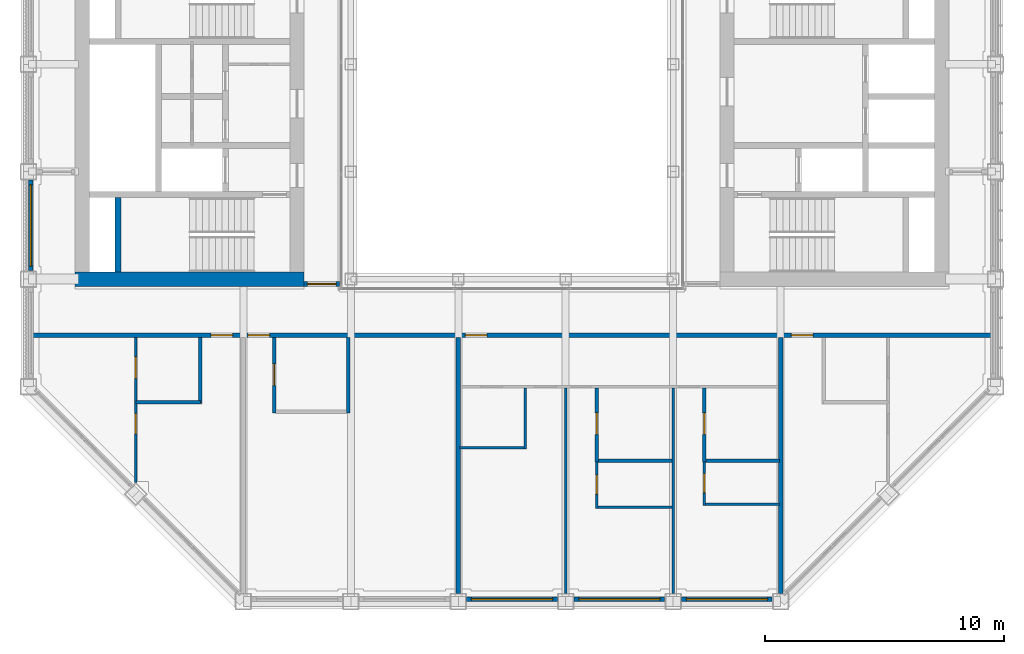
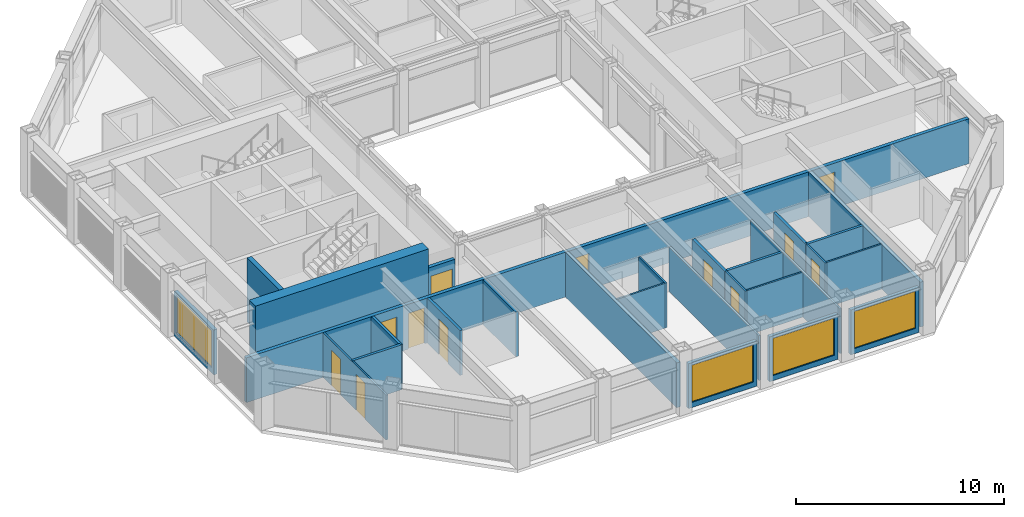
# One storey, part 9 of 17: 27 walls, 12 doors, 4 windows, 16 openings.
"""IFC4 building model written with IfcOpenShell, lengths in metres."""

import ifcopenshell
import ifcopenshell.guid

model = None  # the IFC model being written
_history = None  # IfcOwnerHistory: only IFC2X3 demands one
_inside = {}  # id of a spatial element -> (the spatial element, [elements in it])
_under = {}  # id of a project, library or spatial element -> (it, [spatial elements below it])
_declared = {}  # id of a project -> (the project, [libraries it declares])
_typed = {}  # id of a type object -> (the type object, [elements of that type])
_made_of = {}  # id of a material, layer set ... -> (it, [elements and type objects made of it])


def new_model(schema):
    """Start an empty IFC model of exactly this schema.

    Asked for "IFC4X3", IfcOpenShell would pick the latest addendum, in which some entities
    have other attributes; the version numbers below select the first issue.
    IFC2X3 requires an IfcOwnerHistory on every rooted entity: one is made here for all.
    """
    global model, _history
    if schema == "IFC4X3":
        model = ifcopenshell.file(schema_version=(4, 3, 0, 0))
    else:
        model = ifcopenshell.file(schema=schema)
    _inside.clear()
    _under.clear()
    _declared.clear()
    _typed.clear()
    _made_of.clear()
    _history = None
    if model.schema == "IFC2X3":
        org = make("IfcOrganization", Name="unknown")
        user = make(
            "IfcPersonAndOrganization",
            ThePerson=make("IfcPerson", FamilyName="unknown"),
            TheOrganization=org,
        )
        app = make(
            "IfcApplication",
            ApplicationDeveloper=org,
            Version="unknown",
            ApplicationFullName="unknown",
            ApplicationIdentifier="unknown",
        )
        _history = make(
            "IfcOwnerHistory",
            OwningUser=user,
            OwningApplication=app,
            ChangeAction="ADDED",
            CreationDate=0,
        )
    return model


def make(cls, **values):
    """One entity of the class cls with the attributes given. An attribute that is None is left unset."""
    return model.create_entity(
        cls, **{name: value for name, value in values.items() if value is not None}
    )


def rooted(cls, **values):
    """An entity with a GlobalId (a new one), such as an element, a storey or a relation."""
    return make(cls, GlobalId=ifcopenshell.guid.new(), OwnerHistory=_history, **values)


def si_unit(unit_type, name, prefix=None):
    """IfcSIUnit, for example si_unit("LENGTHUNIT", "METRE", prefix="MILLI")."""
    return make("IfcSIUnit", UnitType=unit_type, Prefix=prefix, Name=name)


def assignment(units):
    """IfcUnitAssignment: the units of a project."""
    return None if units is None else make("IfcUnitAssignment", Units=units)


def point(xyz):
    """IfcCartesianPoint."""
    return None if xyz is None else make("IfcCartesianPoint", Coordinates=xyz)


def direction(xyz):
    """IfcDirection."""
    return None if xyz is None else make("IfcDirection", DirectionRatios=xyz)


def frame(location, z_axis=None, x_axis=None):
    """IfcAxis2Placement3D, a coordinate frame: its origin and axes. An axis left out is left unset."""
    return make(
        "IfcAxis2Placement3D",
        Location=point(location),
        Axis=direction(z_axis),
        RefDirection=direction(x_axis),
    )


def frame_2d(location, x_axis=None):
    """IfcAxis2Placement2D, a coordinate frame in the plane: its origin and x axis."""
    return make(
        "IfcAxis2Placement2D", Location=point(location), RefDirection=direction(x_axis)
    )


def origin():
    """The frame at (0, 0, 0) with its axes left unset."""
    return frame((0.0, 0.0, 0.0))


def place(relative_to, where):
    """IfcLocalPlacement: puts the frame where relative to a parent placement (None: the world)."""
    return make(
        "IfcLocalPlacement", PlacementRelTo=relative_to, RelativePlacement=where
    )


def context(
    kind, dimensions, precision=None, world=None, true_north=None, identifier=None
):
    """IfcGeometricRepresentationContext, for example the 3D "Model" context."""
    return make(
        "IfcGeometricRepresentationContext",
        ContextIdentifier=identifier,
        ContextType=kind,
        CoordinateSpaceDimension=dimensions,
        Precision=precision,
        WorldCoordinateSystem=world,
        TrueNorth=true_north,
    )


def subcontext(parent, identifier, kind, view, scale=None):
    """IfcGeometricRepresentationSubContext, for example "Body" below "Model"."""
    return make(
        "IfcGeometricRepresentationSubContext",
        ContextIdentifier=identifier,
        ContextType=kind,
        ParentContext=parent,
        TargetScale=scale,
        TargetView=view,
    )


def project(units=None, contexts=None):
    """IfcProject with its units and contexts."""
    return rooted(
        "IfcProject",
        Name="project",
        RepresentationContexts=contexts,
        UnitsInContext=assignment(units),
    )


def spatial(cls, under=None, at=None, **own):
    """A site, building, storey or space (cls), placed at a placement, below another one or the project."""
    s = rooted(cls, ObjectPlacement=at, **own)
    if under is not None:
        _under.setdefault(under.id(), (under, []))[1].append(s)
    return s


def profile(cls, at=None, kind="AREA", **sizes):
    """A parametric profile (cls). Its sizes go by their IFC names, for example OverallWidth=200.0."""
    return make(cls, ProfileType=kind, Position=at, **sizes)


def rectangle(**sizes):
    """IfcRectangleProfileDef."""
    return profile("IfcRectangleProfileDef", **sizes)


def extrude(swept, where, along, depth):
    """IfcExtrudedAreaSolid: the profile swept, set in the frame where, extruded along a direction by depth."""
    return make(
        "IfcExtrudedAreaSolid",
        SweptArea=swept,
        Position=where,
        ExtrudedDirection=direction(along),
        Depth=depth,
    )


def shape(context_of_items, identifier, shape_type, items):
    """IfcShapeRepresentation: the items that make up one representation, for example the "Body"."""
    return make(
        "IfcShapeRepresentation",
        ContextOfItems=context_of_items,
        RepresentationIdentifier=identifier,
        RepresentationType=shape_type,
        Items=items,
    )


def material(Name=None, Category=None):
    """IfcMaterial."""
    return make("IfcMaterial", Name=Name, Category=Category)


def layer(
    of_material, thickness, ventilated=None, Name=None, Category=None, Priority=None
):
    """IfcMaterialLayer: one layer of a wall or slab, of a material (None: an air gap)."""
    return make(
        "IfcMaterialLayer",
        Material=of_material,
        LayerThickness=thickness,
        IsVentilated=ventilated,
        Name=Name,
        Category=Category,
        Priority=Priority,
    )


def layer_set(layers, Name=None):
    """IfcMaterialLayerSet."""
    return make("IfcMaterialLayerSet", MaterialLayers=layers, LayerSetName=Name)


def made_of(thing, what):
    """Note that an element or type object is made of a material, layer set ...; save() writes the relation."""
    if what is not None:
        _made_of.setdefault(what.id(), (what, []))[1].append(thing)
    return thing


def type_object(cls, material=None, **own):
    """A type object (cls), such as IfcWallType, which elements share."""
    return made_of(rooted(cls, **own), material)


def element(
    cls,
    number,
    at=None,
    inside=None,
    cuts=None,
    type_object=None,
    material=None,
    context=None,
    identifier="Body",
    shape_type=None,
    held_by="IfcProductDefinitionShape",
    body=None,
    shapes=None,
    **own,
):
    """One element of the class cls, such as IfcWall. Its Tag is "e" and its number.

    at: its placement. inside: the storey or other place that contains it. cuts: it is an
    opening in that element (IfcRelVoidsElement). A single representation is given by context,
    identifier, shape_type and body (its items); several are given by shapes. held_by: the class
    of the entity that holds the representations. save() writes the other relations.
    """
    e = rooted(cls, Tag="e%d" % number, ObjectPlacement=at, **own)
    if body is not None:
        shapes = [shape(context, identifier, shape_type, body)]
    if shapes is not None:
        e.Representation = make(held_by, Representations=shapes)
    if inside is not None:
        _inside.setdefault(inside.id(), (inside, []))[1].append(e)
    if cuts is not None:
        rooted(
            "IfcRelVoidsElement", RelatingBuildingElement=cuts, RelatedOpeningElement=e
        )
    if type_object is not None:
        _typed.setdefault(type_object.id(), (type_object, []))[1].append(e)
    return made_of(e, material)


def fill(opening, filler):
    """IfcRelFillsElement: the door or window that sits in an opening."""
    return rooted(
        "IfcRelFillsElement",
        RelatingOpeningElement=opening,
        RelatedBuildingElement=filler,
    )


def aggregate(whole, parts):
    """IfcRelAggregates: a whole, such as a stair, and the parts it consists of."""
    return rooted("IfcRelAggregates", RelatingObject=whole, RelatedObjects=parts)


def save(model, path):
    """Write the relations noted so far, then the file.

    IfcRelAggregates (storeys below a building ...), IfcRelContainedInSpatialStructure (elements
    in a storey), IfcRelDefinesByType, IfcRelAssociatesMaterial and IfcRelDeclares: one each for
    every whole, place, type object, material and project.
    """
    for whole, parts in _under.values():
        aggregate(whole, parts)
    for where, things in _inside.values():
        rooted(
            "IfcRelContainedInSpatialStructure",
            RelatedElements=things,
            RelatingStructure=where,
        )
    for kind, things in _typed.values():
        rooted("IfcRelDefinesByType", RelatedObjects=things, RelatingType=kind)
    for what, things in _made_of.values():
        rooted("IfcRelAssociatesMaterial", RelatedObjects=things, RelatingMaterial=what)
    for by, libraries in _declared.values():
        rooted("IfcRelDeclares", RelatingContext=by, RelatedDefinitions=libraries)
    model.write(path)


model = new_model("IFC4")

# Units and contexts
model_context = context("Model", 3, precision=1e-05, world=origin(), true_north=direction((0.0, 1.0)))
body_context = subcontext(model_context, "Body", "Model", "MODEL_VIEW")
ifc_project = project(units=[si_unit("LENGTHUNIT", "METRE"), si_unit("AREAUNIT", "SQUARE_METRE"), si_unit("VOLUMEUNIT", "CUBIC_METRE"), si_unit("PLANEANGLEUNIT", "RADIAN"), si_unit("MASSUNIT", "GRAM", prefix="KILO")], contexts=[model_context])

# Site, building, storey
site_placement = place(None, origin())
site = spatial("IfcSite", under=ifc_project, at=site_placement, CompositionType="ELEMENT")
building_placement = place(site_placement, origin())
building = spatial("IfcBuilding", under=site, at=building_placement, Name="Msasa Ring Tower", CompositionType="ELEMENT")
storey_placement = place(building_placement, frame((0.0, 0.0, 238.300048828125)))
storey = spatial("IfcBuildingStorey", under=building, at=storey_placement, Name="L62", CompositionType="ELEMENT", Elevation=238.300048828125)

# Walls
ifc_material_1 = material(Name="Concrete C60/75", Category="concrete")
ifc_layer_1 = layer(ifc_material_1, 0.60009765625)
ifc_layer_set_1 = layer_set([ifc_layer_1], Name="CW3 CORE WALL 600")
wall_type_1 = type_object("IfcWallType", Name="CW3 CORE WALL 600", PredefinedType="SHEAR", material=ifc_layer_set_1)
wall_1_placement = place(storey_placement, frame((-8.699951171875, -6.75, 0.0), z_axis=(0.0, 0.0, 1.0), x_axis=(-1.0, 0.0, 0.0)))
element("IfcWall", 1, at=wall_1_placement, inside=storey, type_object=wall_type_1, Name="W core wall S L62", PredefinedType="SHEAR", context=body_context, shape_type="SweptSolid", body=[
    extrude(rectangle(XDim=9.60009765625, YDim=0.60009765625, at=frame_2d((4.800048828125, 0.0))), origin(), (0.0, 0.0, 1.0), 3.75),
])
ifc_material_2 = material(Name="Concrete C60/75", Category="concrete")
ifc_layer_2 = layer(ifc_material_2, 0.25)
ifc_layer_set_2 = layer_set([ifc_layer_2], Name="CW4 CORE INNER WALL 250")
wall_type_2 = type_object("IfcWallType", Name="CW4 CORE INNER WALL 250", PredefinedType="SHEAR", material=ifc_layer_set_2)
wall_2_placement = place(storey_placement, frame((-16.5, -6.449951171875, 0.0), z_axis=(0.0, 0.0, 1.0), x_axis=(0.0, 1.0, 0.0)))
element("IfcWall", 2, at=wall_2_placement, inside=storey, type_object=wall_type_2, Name="W core wall RISERA L62", PredefinedType="SHEAR", context=body_context, shape_type="SweptSolid", body=[
    extrude(rectangle(XDim=3.125, YDim=0.25, at=frame_2d((1.5625, 0.0))), origin(), (0.0, 0.0, 1.0), 3.75),
])

# Wall, opening, window
ifc_material_3 = material(Name="Terracotta rainscreen on blockwork", Category="masonry")
ifc_layer_3 = layer(ifc_material_3, 0.199951171875)
ifc_layer_set_3 = layer_set([ifc_layer_3], Name="FW1 TERRACOTTA-LINED INFILL BAY WALL 200")
wall_type_3 = type_object("IfcWallType", Name="FW1 TERRACOTTA-LINED INFILL BAY WALL 200", PredefinedType="SOLIDWALL", material=ifc_layer_set_3)
wall_3_placement = place(storey_placement, frame((-1.89501953125, -20.14990234375, 0.0), z_axis=(0.0, 0.0, 1.0), x_axis=(1.0, 0.0, 0.0)))
wall_3 = element("IfcWall", 3, at=wall_3_placement, inside=storey, type_object=wall_type_3, Name="Infill bay wall S L62 02", PredefinedType="SOLIDWALL", context=body_context, shape_type="SweptSolid", body=[
    extrude(rectangle(XDim=3.7900390625, YDim=0.199951171875, at=frame_2d((1.89501953125, 0.0))), origin(), (0.0, 0.0, 1.0), 2.62890625),
])
opening_1_placement = place(wall_3_placement, frame((0.195068359375, 0.0, 0.300048828125)))
opening_1 = element("IfcOpeningElement", 4, at=opening_1_placement, cuts=wall_3, Name="Opening WN3", PredefinedType="OPENING", context=body_context, shape_type="SweptSolid", body=[
    extrude(rectangle(XDim=3.39990234375, YDim=2.178955078125, at=frame_2d((1.699951171875, 1.08935546875))), frame((0.0, 0.10986328125, 0.0), z_axis=(0.0, -1.0, 0.0), x_axis=(1.0, 0.0, 0.0)), (0.0, 0.0, 1.0), 0.219970703125),
])
ifc_material_4 = material(Name="Aluminium frame with clear glass", Category="aluminium")
window_type = type_object("IfcWindowType", Name="WN3 SUITE WINDOW 3400x2179", PartitioningType="SINGLE_PANEL", PredefinedType="WINDOW", material=ifc_material_4)
window_1_placement = place(opening_1_placement, origin())
window_1 = element("IfcWindow", 5, at=window_1_placement, inside=storey, type_object=window_type, Name="Window S L62 02", OverallHeight=2.178955078125, OverallWidth=3.39990234375, PartitioningType="SINGLE_PANEL", PredefinedType="WINDOW", context=body_context, shape_type="SweptSolid", body=[
    extrude(rectangle(XDim=3.39990234375, YDim=2.178955078125, at=frame_2d((1.699951171875, 1.08935546875))), frame((0.0, 0.030029296875, 0.0), z_axis=(0.0, -1.0, 0.0), x_axis=(1.0, 0.0, 0.0)), (0.0, 0.0, 1.0), 0.06005859375),
])
fill(opening_1, window_1)

wall_4_placement = place(storey_placement, frame((2.60498046875, -20.14990234375, 0.0), z_axis=(0.0, 0.0, 1.0), x_axis=(1.0, 0.0, 0.0)))
wall_4 = element("IfcWall", 6, at=wall_4_placement, inside=storey, type_object=wall_type_3, Name="Infill bay wall S L62 03", PredefinedType="SOLIDWALL", context=body_context, shape_type="SweptSolid", body=[
    extrude(rectangle(XDim=3.7900390625, YDim=0.199951171875, at=frame_2d((1.89501953125, 0.0))), origin(), (0.0, 0.0, 1.0), 2.62890625),
])
opening_2_placement = place(wall_4_placement, frame((0.195068359375, 0.0, 0.300048828125)))
opening_2 = element("IfcOpeningElement", 7, at=opening_2_placement, cuts=wall_4, Name="Opening WN3", PredefinedType="OPENING", context=body_context, shape_type="SweptSolid", body=[
    extrude(rectangle(XDim=3.39990234375, YDim=2.178955078125, at=frame_2d((1.699951171875, 1.08935546875))), frame((0.0, 0.10986328125, 0.0), z_axis=(0.0, -1.0, 0.0), x_axis=(1.0, 0.0, 0.0)), (0.0, 0.0, 1.0), 0.219970703125),
])
window_2_placement = place(opening_2_placement, origin())
window_2 = element("IfcWindow", 8, at=window_2_placement, inside=storey, type_object=window_type, Name="Window S L62 03", OverallHeight=2.178955078125, OverallWidth=3.39990234375, PartitioningType="SINGLE_PANEL", PredefinedType="WINDOW", context=body_context, shape_type="SweptSolid", body=[
    extrude(rectangle(XDim=3.39990234375, YDim=2.178955078125, at=frame_2d((1.699951171875, 1.08935546875))), frame((0.0, 0.030029296875, 0.0), z_axis=(0.0, -1.0, 0.0), x_axis=(1.0, 0.0, 0.0)), (0.0, 0.0, 1.0), 0.06005859375),
])
fill(opening_2, window_2)

wall_5_placement = place(storey_placement, frame((7.10498046875, -20.14990234375, 0.0), z_axis=(0.0, 0.0, 1.0), x_axis=(1.0, 0.0, 0.0)))
wall_5 = element("IfcWall", 9, at=wall_5_placement, inside=storey, type_object=wall_type_3, Name="Infill bay wall S L62 04", PredefinedType="SOLIDWALL", context=body_context, shape_type="SweptSolid", body=[
    extrude(rectangle(XDim=3.7900390625, YDim=0.199951171875, at=frame_2d((1.89501953125, 0.0))), origin(), (0.0, 0.0, 1.0), 2.62890625),
])
opening_3_placement = place(wall_5_placement, frame((0.195068359375, 0.0, 0.300048828125)))
opening_3 = element("IfcOpeningElement", 10, at=opening_3_placement, cuts=wall_5, Name="Opening WN3", PredefinedType="OPENING", context=body_context, shape_type="SweptSolid", body=[
    extrude(rectangle(XDim=3.39990234375, YDim=2.178955078125, at=frame_2d((1.699951171875, 1.08935546875))), frame((0.0, 0.10986328125, 0.0), z_axis=(0.0, -1.0, 0.0), x_axis=(1.0, 0.0, 0.0)), (0.0, 0.0, 1.0), 0.219970703125),
])
window_3_placement = place(opening_3_placement, origin())
window_3 = element("IfcWindow", 11, at=window_3_placement, inside=storey, type_object=window_type, Name="Window S L62 04", OverallHeight=2.178955078125, OverallWidth=3.39990234375, PartitioningType="SINGLE_PANEL", PredefinedType="WINDOW", context=body_context, shape_type="SweptSolid", body=[
    extrude(rectangle(XDim=3.39990234375, YDim=2.178955078125, at=frame_2d((1.699951171875, 1.08935546875))), frame((0.0, 0.030029296875, 0.0), z_axis=(0.0, -1.0, 0.0), x_axis=(1.0, 0.0, 0.0)), (0.0, 0.0, 1.0), 0.06005859375),
])
fill(opening_3, window_3)

wall_6_placement = place(storey_placement, frame((-20.14990234375, -6.39501953125, 0.0), z_axis=(0.0, 0.0, 1.0), x_axis=(0.0, 1.0, 0.0)))
wall_6 = element("IfcWall", 12, at=wall_6_placement, inside=storey, type_object=wall_type_3, Name="Infill bay wall W L62 22", PredefinedType="SOLIDWALL", context=body_context, shape_type="SweptSolid", body=[
    extrude(rectangle(XDim=3.7900390625, YDim=0.199951171875, at=frame_2d((1.89501953125, 0.0))), origin(), (0.0, 0.0, 1.0), 2.62890625),
])
opening_4_placement = place(wall_6_placement, frame((0.195068359375, 0.0, 0.300048828125)))
opening_4 = element("IfcOpeningElement", 13, at=opening_4_placement, cuts=wall_6, Name="Opening WN3", PredefinedType="OPENING", context=body_context, shape_type="SweptSolid", body=[
    extrude(rectangle(XDim=3.39990234375, YDim=2.178955078125, at=frame_2d((1.699951171875, 1.08935546875))), frame((0.0, 0.10986328125, 0.0), z_axis=(0.0, -1.0, 0.0), x_axis=(1.0, 0.0, 0.0)), (0.0, 0.0, 1.0), 0.219970703125),
])
window_4_placement = place(opening_4_placement, origin())
window_4 = element("IfcWindow", 14, at=window_4_placement, inside=storey, type_object=window_type, Name="Window W L62 22", OverallHeight=2.178955078125, OverallWidth=3.39990234375, PartitioningType="SINGLE_PANEL", PredefinedType="WINDOW", context=body_context, shape_type="SweptSolid", body=[
    extrude(rectangle(XDim=3.39990234375, YDim=2.178955078125, at=frame_2d((1.699951171875, 1.08935546875))), frame((0.0, 0.030029296875, 0.0), z_axis=(0.0, -1.0, 0.0), x_axis=(1.0, 0.0, 0.0)), (0.0, 0.0, 1.0), 0.06005859375),
])
fill(opening_4, window_4)

# Wall, opening, door
ifc_material_5 = material(Name="Concrete blockwork", Category="masonry")
ifc_layer_4 = layer(ifc_material_5, 0.199951171875)
ifc_layer_set_4 = layer_set([ifc_layer_4], Name="PT1 CORRIDOR WALL 200")
wall_type_4 = type_object("IfcWallType", Name="PT1 CORRIDOR WALL 200", PredefinedType="PARTITIONING", material=ifc_layer_set_4)
wall_7_placement = place(storey_placement, frame((-8.699951171875, -6.949951171875, 0.0), z_axis=(0.0, 0.0, 1.0), x_axis=(1.0, 0.0, 0.0)))
wall_7 = element("IfcWall", 15, at=wall_7_placement, inside=storey, type_object=wall_type_4, Name="Corridor wall L62-SDWS", PredefinedType="PARTITIONING", context=body_context, shape_type="SweptSolid", body=[
    extrude(rectangle(XDim=1.469970703125, YDim=0.199951171875, at=frame_2d((0.73486328125, 0.0))), origin(), (0.0, 0.0, 1.0), 2.62890625),
])
opening_5_placement = place(wall_7_placement, frame((0.135009765625, 0.0, 0.0)))
opening_5 = element("IfcOpeningElement", 16, at=opening_5_placement, cuts=wall_7, Name="Opening SD-035", PredefinedType="OPENING", context=body_context, shape_type="SweptSolid", body=[
    extrude(rectangle(XDim=1.199951171875, YDim=2.10009765625, at=frame_2d((0.60009765625, 1.050048828125))), frame((0.0, 0.10986328125, 0.0), z_axis=(0.0, -1.0, 0.0), x_axis=(1.0, 0.0, 0.0)), (0.0, 0.0, 1.0), 0.219970703125),
])
ifc_material_6 = material(Name="Timber door leaf in a steel frame", Category="steel")
door_type_1 = type_object("IfcDoorType", Name="D25 CORRIDOR PAIR OF SMOKE DOORS 1200x2100", OperationType="DOUBLE_DOOR_DOUBLE_SWING", PredefinedType="DOOR", material=ifc_material_6)
door_1_placement = place(opening_5_placement, origin())
door_1 = element("IfcDoor", 17, at=door_1_placement, inside=storey, type_object=door_type_1, Name="Door L62-SDWS", OperationType="DOUBLE_DOOR_DOUBLE_SWING", OverallHeight=2.10009765625, OverallWidth=1.199951171875, PredefinedType="DOOR", context=body_context, shape_type="SweptSolid", body=[
    extrude(rectangle(XDim=1.199951171875, YDim=2.10009765625, at=frame_2d((0.60009765625, 1.050048828125))), frame((0.0, 0.02490234375, 0.0), z_axis=(0.0, -1.0, 0.0), x_axis=(1.0, 0.0, 0.0)), (0.0, 0.0, 1.0), 0.050048828125),
])
fill(opening_5, door_1)

# Wall, openings, doors
wall_8_placement = place(storey_placement, frame((-20.050048828125, -9.10009765625, 0.0), z_axis=(0.0, 0.0, 1.0), x_axis=(1.0, 0.0, 0.0)))
wall_8 = element("IfcWall", 18, at=wall_8_placement, inside=storey, type_object=wall_type_4, Name="Corridor wall L62-CORRS0", PredefinedType="PARTITIONING", context=body_context, shape_type="SweptSolid", body=[
    extrude(rectangle(XDim=40.10009765625, YDim=0.199951171875, at=frame_2d((20.050048828125, 0.0))), origin(), (0.0, 0.0, 1.0), 2.62890625),
])
opening_6_placement = place(wall_8_placement, frame((9.0, 0.0, 0.0)))
opening_6 = element("IfcOpeningElement", 19, at=opening_6_placement, cuts=wall_8, Name="Opening SD-038", PredefinedType="OPENING", context=body_context, shape_type="SweptSolid", body=[
    extrude(rectangle(XDim=0.89990234375, YDim=2.10009765625, at=frame_2d((0.449951171875, 1.050048828125))), frame((0.0, 0.10986328125, 0.0), z_axis=(0.0, -1.0, 0.0), x_axis=(1.0, 0.0, 0.0)), (0.0, 0.0, 1.0), 0.219970703125),
])
opening_7_placement = place(wall_8_placement, frame((18.10009765625, 0.0, 0.0)))
opening_7 = element("IfcOpeningElement", 20, at=opening_7_placement, cuts=wall_8, Name="Opening SD-039", PredefinedType="OPENING", context=body_context, shape_type="SweptSolid", body=[
    extrude(rectangle(XDim=0.89990234375, YDim=2.10009765625, at=frame_2d((0.449951171875, 1.050048828125))), frame((0.0, 0.10986328125, 0.0), z_axis=(0.0, -1.0, 0.0), x_axis=(1.0, 0.0, 0.0)), (0.0, 0.0, 1.0), 0.219970703125),
])
opening_8_placement = place(wall_8_placement, frame((31.75, 0.0, 0.0)))
opening_8 = element("IfcOpeningElement", 21, at=opening_8_placement, cuts=wall_8, Name="Opening SD-040", PredefinedType="OPENING", context=body_context, shape_type="SweptSolid", body=[
    extrude(rectangle(XDim=0.89990234375, YDim=2.10009765625, at=frame_2d((0.449951171875, 1.050048828125))), frame((0.0, 0.10986328125, 0.0), z_axis=(0.0, -1.0, 0.0), x_axis=(1.0, 0.0, 0.0)), (0.0, 0.0, 1.0), 0.219970703125),
])
opening_9_placement = place(wall_8_placement, frame((7.449951171875, 0.0, 0.0)))
opening_9 = element("IfcOpeningElement", 22, at=opening_9_placement, cuts=wall_8, Name="Opening SD-037", PredefinedType="OPENING", context=body_context, shape_type="SweptSolid", body=[
    extrude(rectangle(XDim=0.89990234375, YDim=2.10009765625, at=frame_2d((0.449951171875, 1.050048828125))), frame((0.0, 0.10986328125, 0.0), z_axis=(0.0, -1.0, 0.0), x_axis=(1.0, 0.0, 0.0)), (0.0, 0.0, 1.0), 0.219970703125),
])
ifc_material_7 = material(Name="Timber door leaf in a steel frame", Category="steel")
door_type_2 = type_object("IfcDoorType", Name="D1 SINGLE DOOR TO CORRIDOR 900x2100", OperationType="SINGLE_SWING_LEFT", PredefinedType="DOOR", material=ifc_material_7)
door_2_placement = place(opening_6_placement, origin())
door_2 = element("IfcDoor", 23, at=door_2_placement, inside=storey, type_object=door_type_2, Name="Door L62-JS00", OperationType="SINGLE_SWING_LEFT", OverallHeight=2.10009765625, OverallWidth=0.89990234375, PredefinedType="DOOR", context=body_context, shape_type="SweptSolid", body=[
    extrude(rectangle(XDim=0.89990234375, YDim=2.10009765625, at=frame_2d((0.449951171875, 1.050048828125))), frame((0.0, 0.02490234375, 0.0), z_axis=(0.0, -1.0, 0.0), x_axis=(1.0, 0.0, 0.0)), (0.0, 0.0, 1.0), 0.050048828125),
])
fill(opening_6, door_2)
ifc_material_8 = material(Name="Timber door leaf in a steel frame", Category="steel")
door_type_3 = type_object("IfcDoorType", Name="D2 ENTRANCE DOOR 900x2100", OperationType="SINGLE_SWING_LEFT", PredefinedType="DOOR", material=ifc_material_8)
door_3_placement = place(opening_7_placement, origin())
door_3 = element("IfcDoor", 24, at=door_3_placement, inside=storey, type_object=door_type_3, Name="Door L62-JS01", OperationType="SINGLE_SWING_LEFT", OverallHeight=2.10009765625, OverallWidth=0.89990234375, PredefinedType="DOOR", context=body_context, shape_type="SweptSolid", body=[
    extrude(rectangle(XDim=0.89990234375, YDim=2.10009765625, at=frame_2d((0.449951171875, 1.050048828125))), frame((0.0, 0.02490234375, 0.0), z_axis=(0.0, -1.0, 0.0), x_axis=(1.0, 0.0, 0.0)), (0.0, 0.0, 1.0), 0.050048828125),
])
fill(opening_7, door_3)
door_4_placement = place(opening_8_placement, origin())
door_4 = element("IfcDoor", 25, at=door_4_placement, inside=storey, type_object=door_type_3, Name="Door L62-CSSE", OperationType="SINGLE_SWING_RIGHT", OverallHeight=2.10009765625, OverallWidth=0.89990234375, PredefinedType="DOOR", context=body_context, shape_type="SweptSolid", body=[
    extrude(rectangle(XDim=0.89990234375, YDim=2.10009765625, at=frame_2d((0.449951171875, 1.050048828125))), frame((0.0, 0.02490234375, 0.0), z_axis=(0.0, -1.0, 0.0), x_axis=(1.0, 0.0, 0.0)), (0.0, 0.0, 1.0), 0.050048828125),
])
fill(opening_8, door_4)
door_5_placement = place(opening_9_placement, origin())
door_5 = element("IfcDoor", 26, at=door_5_placement, inside=storey, type_object=door_type_3, Name="Door L62-CSSW", OperationType="SINGLE_SWING_LEFT", OverallHeight=2.10009765625, OverallWidth=0.89990234375, PredefinedType="DOOR", context=body_context, shape_type="SweptSolid", body=[
    extrude(rectangle(XDim=0.89990234375, YDim=2.10009765625, at=frame_2d((0.449951171875, 1.050048828125))), frame((0.0, 0.02490234375, 0.0), z_axis=(0.0, -1.0, 0.0), x_axis=(1.0, 0.0, 0.0)), (0.0, 0.0, 1.0), 0.050048828125),
])
fill(opening_9, door_5)

# Walls
ifc_material_9 = material(Name="Gypsum board on steel studs", Category="steel")
ifc_layer_5 = layer(ifc_material_9, 0.10009765625)
ifc_layer_set_5 = layer_set([ifc_layer_5], Name="PT2 STUD PARTITION 100")
wall_type_5 = type_object("IfcWallType", Name="PT2 STUD PARTITION 100", PredefinedType="PARTITIONING", material=ifc_layer_set_5)
wall_9_placement = place(storey_placement, frame((0.550048828125, -13.85009765625, 0.0), z_axis=(0.0, 0.0, 1.0), x_axis=(0.0, 1.0, 0.0)))
element("IfcWall", 27, at=wall_9_placement, inside=storey, type_object=wall_type_5, Name="Partition L62-JS01KX", PredefinedType="PARTITIONING", context=body_context, shape_type="SweptSolid", body=[
    extrude(rectangle(XDim=2.550048828125, YDim=0.10009765625, at=frame_2d((1.27490234375, 0.0))), origin(), (0.0, 0.0, 1.0), 2.62890625),
])
wall_10_placement = place(storey_placement, frame((-2.18994140625, -13.800048828125, 0.0), z_axis=(0.0, 0.0, 1.0), x_axis=(1.0, 0.0, 0.0)))
element("IfcWall", 28, at=wall_10_placement, inside=storey, type_object=wall_type_5, Name="Partition L62-JS01KY", PredefinedType="PARTITIONING", context=body_context, shape_type="SweptSolid", body=[
    extrude(rectangle(XDim=2.739990234375, YDim=0.10009765625, at=frame_2d((1.3701171875, 0.0))), origin(), (0.0, 0.0, 1.0), 2.62890625),
])
wall_11_placement = place(storey_placement, frame((2.25, -19.89990234375, 0.0), z_axis=(0.0, 0.0, 1.0), x_axis=(0.0, 1.0, 0.0)))
element("IfcWall", 29, at=wall_11_placement, inside=storey, type_object=wall_type_5, Name="Partition L62-JS01P1", PredefinedType="PARTITIONING", context=body_context, shape_type="SweptSolid", body=[
    extrude(rectangle(XDim=8.599853515625, YDim=0.10009765625, at=frame_2d((4.2998046875, 0.0))), origin(), (0.0, 0.0, 1.0), 2.62890625),
])

# Wall, opening, door
wall_12_placement = place(storey_placement, frame((3.550048828125, -16.35009765625, 0.0), z_axis=(0.0, 0.0, 1.0), x_axis=(0.0, 1.0, 0.0)))
wall_12 = element("IfcWall", 30, at=wall_12_placement, inside=storey, type_object=wall_type_5, Name="Partition L62-JS01WX1", PredefinedType="PARTITIONING", context=body_context, shape_type="SweptSolid", body=[
    extrude(rectangle(XDim=1.9501953125, YDim=0.10009765625, at=frame_2d((0.97509765625, 0.0))), origin(), (0.0, 0.0, 1.0), 2.62890625),
])
opening_10_placement = place(wall_12_placement, frame((0.60009765625, 0.0, 0.0)))
opening_10 = element("IfcOpeningElement", 31, at=opening_10_placement, cuts=wall_12, Name="Opening SD-053", PredefinedType="OPENING", context=body_context, shape_type="SweptSolid", body=[
    extrude(rectangle(XDim=0.800048828125, YDim=2.10009765625, at=frame_2d((0.39990234375, 1.050048828125))), frame((0.0, 0.06005859375, 0.0), z_axis=(0.0, -1.0, 0.0), x_axis=(1.0, 0.0, 0.0)), (0.0, 0.0, 1.0), 0.1201171875),
])
ifc_material_10 = material(Name="Timber door leaf in a steel frame", Category="steel")
door_type_4 = type_object("IfcDoorType", Name="D60 DRESSING ROOM DOOR 800x2100", OperationType="SINGLE_SWING_LEFT", PredefinedType="DOOR", material=ifc_material_10)
door_6_placement = place(opening_10_placement, origin())
door_6 = element("IfcDoor", 32, at=door_6_placement, inside=storey, type_object=door_type_4, Name="Door L62-JS01W1", OperationType="SINGLE_SWING_LEFT", OverallHeight=2.10009765625, OverallWidth=0.800048828125, PredefinedType="DOOR", context=body_context, shape_type="SweptSolid", body=[
    extrude(rectangle(XDim=0.800048828125, YDim=2.10009765625, at=frame_2d((0.39990234375, 1.050048828125))), frame((0.0, 0.02490234375, 0.0), z_axis=(0.0, -1.0, 0.0), x_axis=(1.0, 0.0, 0.0)), (0.0, 0.0, 1.0), 0.050048828125),
])
fill(opening_10, door_6)

# Walls
wall_13_placement = place(storey_placement, frame((3.550048828125, -16.300048828125, 0.0), z_axis=(0.0, 0.0, 1.0), x_axis=(1.0, 0.0, 0.0)))
element("IfcWall", 33, at=wall_13_placement, inside=storey, type_object=wall_type_5, Name="Partition L62-JS01WY1", PredefinedType="PARTITIONING", context=body_context, shape_type="SweptSolid", body=[
    extrude(rectangle(XDim=3.14990234375, YDim=0.10009765625, at=frame_2d((1.574951171875, 0.0))), origin(), (0.0, 0.0, 1.0), 2.62890625),
])
wall_14_placement = place(storey_placement, frame((6.75, -19.89990234375, 0.0), z_axis=(0.0, 0.0, 1.0), x_axis=(0.0, 1.0, 0.0)))
element("IfcWall", 34, at=wall_14_placement, inside=storey, type_object=wall_type_5, Name="Partition L62-JS01P2", PredefinedType="PARTITIONING", context=body_context, shape_type="SweptSolid", body=[
    extrude(rectangle(XDim=8.599853515625, YDim=0.10009765625, at=frame_2d((4.2998046875, 0.0))), origin(), (0.0, 0.0, 1.0), 2.62890625),
])

# Wall, opening, door
wall_15_placement = place(storey_placement, frame((8.050048828125, -16.2236328125, 0.0), z_axis=(0.0, 0.0, 1.0), x_axis=(0.0, 1.0, 0.0)))
wall_15 = element("IfcWall", 35, at=wall_15_placement, inside=storey, type_object=wall_type_5, Name="Partition L62-JS01WX2", PredefinedType="PARTITIONING", context=body_context, shape_type="SweptSolid", body=[
    extrude(rectangle(XDim=1.82373046875, YDim=0.10009765625, at=frame_2d((0.911865234375, 0.0))), origin(), (0.0, 0.0, 1.0), 2.62890625),
])
opening_11_placement = place(wall_15_placement, frame((0.536865234375, 0.0, 0.0)))
opening_11 = element("IfcOpeningElement", 36, at=opening_11_placement, cuts=wall_15, Name="Opening SD-052", PredefinedType="OPENING", context=body_context, shape_type="SweptSolid", body=[
    extrude(rectangle(XDim=0.800048828125, YDim=2.10009765625, at=frame_2d((0.39990234375, 1.050048828125))), frame((0.0, 0.06005859375, 0.0), z_axis=(0.0, -1.0, 0.0), x_axis=(1.0, 0.0, 0.0)), (0.0, 0.0, 1.0), 0.1201171875),
])
door_7_placement = place(opening_11_placement, origin())
door_7 = element("IfcDoor", 37, at=door_7_placement, inside=storey, type_object=door_type_4, Name="Door L62-JS01W2", OperationType="SINGLE_SWING_LEFT", OverallHeight=2.10009765625, OverallWidth=0.800048828125, PredefinedType="DOOR", context=body_context, shape_type="SweptSolid", body=[
    extrude(rectangle(XDim=0.800048828125, YDim=2.10009765625, at=frame_2d((0.39990234375, 1.050048828125))), frame((0.0, 0.02490234375, 0.0), z_axis=(0.0, -1.0, 0.0), x_axis=(1.0, 0.0, 0.0)), (0.0, 0.0, 1.0), 0.050048828125),
])
fill(opening_11, door_7)

# Wall
wall_16_placement = place(storey_placement, frame((8.050048828125, -16.173583984375, 0.0), z_axis=(0.0, 0.0, 1.0), x_axis=(1.0, 0.0, 0.0)))
element("IfcWall", 38, at=wall_16_placement, inside=storey, type_object=wall_type_5, Name="Partition L62-JS01WY2", PredefinedType="PARTITIONING", context=body_context, shape_type="SweptSolid", body=[
    extrude(rectangle(XDim=3.139892578125, YDim=0.10009765625, at=frame_2d((1.56982421875, 0.0))), origin(), (0.0, 0.0, 1.0), 2.62890625),
])

# Wall, openings, doors
wall_17_placement = place(storey_placement, frame((-15.75, -15.2548828125, 0.0), z_axis=(0.0, 0.0, 1.0), x_axis=(0.0, 1.0, 0.0)))
wall_17 = element("IfcWall", 39, at=wall_17_placement, inside=storey, type_object=wall_type_5, Name="Partition L62-CSSWP1", PredefinedType="PARTITIONING", context=body_context, shape_type="SweptSolid", body=[
    extrude(rectangle(XDim=6.054931640625, YDim=0.10009765625, at=frame_2d((3.02734375, 0.0))), origin(), (0.0, 0.0, 1.0), 2.62890625),
])
opening_12_placement = place(wall_17_placement, frame((2.030029296875, 0.0, 0.0)))
opening_12 = element("IfcOpeningElement", 40, at=opening_12_placement, cuts=wall_17, Name="Opening SD-048", PredefinedType="OPENING", context=body_context, shape_type="SweptSolid", body=[
    extrude(rectangle(XDim=0.85009765625, YDim=2.10009765625, at=frame_2d((0.425048828125, 1.050048828125))), frame((0.0, 0.06005859375, 0.0), z_axis=(0.0, -1.0, 0.0), x_axis=(1.0, 0.0, 0.0)), (0.0, 0.0, 1.0), 0.1201171875),
])
opening_13_placement = place(wall_17_placement, frame((4.35498046875, 0.0, 0.0)))
opening_13 = element("IfcOpeningElement", 41, at=opening_13_placement, cuts=wall_17, Name="Opening SD-041", PredefinedType="OPENING", context=body_context, shape_type="SweptSolid", body=[
    extrude(rectangle(XDim=0.89990234375, YDim=2.10009765625, at=frame_2d((0.449951171875, 1.050048828125))), frame((0.0, 0.06005859375, 0.0), z_axis=(0.0, -1.0, 0.0), x_axis=(1.0, 0.0, 0.0)), (0.0, 0.0, 1.0), 0.1201171875),
])
ifc_material_11 = material(Name="Timber door leaf in a steel frame", Category="steel")
door_type_5 = type_object("IfcDoorType", Name="D14 BEDROOM DOOR 850x2100", OperationType="SINGLE_SWING_LEFT", PredefinedType="DOOR", material=ifc_material_11)
door_8_placement = place(opening_12_placement, origin())
door_8 = element("IfcDoor", 42, at=door_8_placement, inside=storey, type_object=door_type_5, Name="Door L62-CSSWR1", OperationType="SINGLE_SWING_LEFT", OverallHeight=2.10009765625, OverallWidth=0.85009765625, PredefinedType="DOOR", context=body_context, shape_type="SweptSolid", body=[
    extrude(rectangle(XDim=0.85009765625, YDim=2.10009765625, at=frame_2d((0.425048828125, 1.050048828125))), frame((0.0, 0.02490234375, 0.0), z_axis=(0.0, -1.0, 0.0), x_axis=(1.0, 0.0, 0.0)), (0.0, 0.0, 1.0), 0.050048828125),
])
fill(opening_12, door_8)
ifc_material_12 = material(Name="Timber door leaf in a steel frame", Category="steel")
door_type_6 = type_object("IfcDoorType", Name="D3 BATHROOM DOOR 900x2100", OperationType="SINGLE_SWING_LEFT", PredefinedType="DOOR", material=ifc_material_12)
door_9_placement = place(opening_13_placement, origin())
door_9 = element("IfcDoor", 43, at=door_9_placement, inside=storey, type_object=door_type_6, Name="Door L62-CSSWB1", OperationType="SINGLE_SWING_RIGHT", OverallHeight=2.10009765625, OverallWidth=0.89990234375, PredefinedType="DOOR", context=body_context, shape_type="SweptSolid", body=[
    extrude(rectangle(XDim=0.89990234375, YDim=2.10009765625, at=frame_2d((0.449951171875, 1.050048828125))), frame((0.0, 0.02490234375, 0.0), z_axis=(0.0, -1.0, 0.0), x_axis=(1.0, 0.0, 0.0)), (0.0, 0.0, 1.0), 0.050048828125),
])
fill(opening_13, door_9)

# Walls
ifc_material_13 = material(Name="Dense concrete blockwork, plastered both faces", Category="masonry")
ifc_layer_6 = layer(ifc_material_13, 0.25)
ifc_layer_set_6 = layer_set([ifc_layer_6], Name="PT3 APARTMENT SEPARATING WALL 250")
wall_type_6 = type_object("IfcWallType", Name="PT3 APARTMENT SEPARATING WALL 250", PredefinedType="PARTITIONING", material=ifc_layer_set_6)
for number, where, z_axis, x_axis, name in (
    (44, (-2.25, -19.89990234375, 0.0), (0.0, 0.0, 1.0), (0.0, 1.0, 0.0), "Party wall L62-PWS-2.25"),
    (45, (11.25, -19.89990234375, 0.0), (0.0, 0.0, 1.0), (0.0, 1.0, 0.0), "Party wall L62-PWS+11.25"),
):
    element("IfcWall", number, at=place(storey_placement, frame(where, z_axis=z_axis, x_axis=x_axis)), inside=storey, type_object=wall_type_6, Name=name, PredefinedType="PARTITIONING", context=body_context, shape_type="SweptSolid", body=[
        extrude(rectangle(XDim=10.699951171875, YDim=0.199951171875, at=frame_2d((5.35009765625, 0.0))), origin(), (0.0, 0.0, 1.0), 2.62890625),
    ])

# Wall, opening, door
ifc_material_14 = material(Name="Moisture-resistant board on steel studs with a concealed cistern and pipe void, tiled", Category="steel")
ifc_layer_7 = layer(ifc_material_14, 0.14990234375)
ifc_layer_set_7 = layer_set([ifc_layer_7], Name="PT4 BATHROOM WET WALL 150")
wall_type_7 = type_object("IfcWallType", Name="PT4 BATHROOM WET WALL 150", PredefinedType="PARTITIONING", material=ifc_layer_set_7)
wall_18_placement = place(storey_placement, frame((-9.949951171875, -12.35009765625, 0.0), z_axis=(0.0, 0.0, 1.0), x_axis=(0.0, 1.0, 0.0)))
wall_18 = element("IfcWall", 46, at=wall_18_placement, inside=storey, type_object=wall_type_7, Name="Partition L62-JS00BX", PredefinedType="PARTITIONING", context=body_context, shape_type="SweptSolid", body=[
    extrude(rectangle(XDim=3.150146484375, YDim=0.14990234375, at=frame_2d((1.5751953125, 0.0))), origin(), (0.0, 0.0, 1.0), 2.62890625),
])
opening_14_placement = place(wall_18_placement, frame((1.14990234375, 0.0, 0.0)))
opening_14 = element("IfcOpeningElement", 47, at=opening_14_placement, cuts=wall_18, Name="Opening SD-043", PredefinedType="OPENING", context=body_context, shape_type="SweptSolid", body=[
    extrude(rectangle(XDim=0.89990234375, YDim=2.10009765625, at=frame_2d((0.449951171875, 1.050048828125))), frame((0.0, 0.0849609375, 0.0), z_axis=(0.0, -1.0, 0.0), x_axis=(1.0, 0.0, 0.0)), (0.0, 0.0, 1.0), 0.169921875),
])
door_10_placement = place(opening_14_placement, origin())
door_10 = element("IfcDoor", 48, at=door_10_placement, inside=storey, type_object=door_type_6, Name="Door L62-JS00B", OperationType="SINGLE_SWING_LEFT", OverallHeight=2.10009765625, OverallWidth=0.89990234375, PredefinedType="DOOR", context=body_context, shape_type="SweptSolid", body=[
    extrude(rectangle(XDim=0.89990234375, YDim=2.10009765625, at=frame_2d((0.449951171875, 1.050048828125))), frame((0.0, 0.02490234375, 0.0), z_axis=(0.0, -1.0, 0.0), x_axis=(1.0, 0.0, 0.0)), (0.0, 0.0, 1.0), 0.050048828125),
])
fill(opening_14, door_10)

# Wall
wall_19_placement = place(storey_placement, frame((-6.85009765625, -12.35009765625, 0.0), z_axis=(0.0, 0.0, 1.0), x_axis=(0.0, 1.0, 0.0)))
element("IfcWall", 49, at=wall_19_placement, inside=storey, type_object=wall_type_7, Name="Partition L62-JS00BF", PredefinedType="PARTITIONING", context=body_context, shape_type="SweptSolid", body=[
    extrude(rectangle(XDim=3.150146484375, YDim=0.14990234375, at=frame_2d((1.5751953125, 0.0))), origin(), (0.0, 0.0, 1.0), 2.62890625),
])

# Wall, opening, door
wall_20_placement = place(storey_placement, frame((3.550048828125, -14.39990234375, 0.0), z_axis=(0.0, 0.0, 1.0), x_axis=(0.0, 1.0, 0.0)))
wall_20 = element("IfcWall", 50, at=wall_20_placement, inside=storey, type_object=wall_type_7, Name="Partition L62-JS01BX1", PredefinedType="PARTITIONING", context=body_context, shape_type="SweptSolid", body=[
    extrude(rectangle(XDim=3.099853515625, YDim=0.14990234375, at=frame_2d((1.5498046875, 0.0))), origin(), (0.0, 0.0, 1.0), 2.62890625),
])
opening_15_placement = place(wall_20_placement, frame((1.14990234375, 0.0, 0.0)))
opening_15 = element("IfcOpeningElement", 51, at=opening_15_placement, cuts=wall_20, Name="Opening SD-049", PredefinedType="OPENING", context=body_context, shape_type="SweptSolid", body=[
    extrude(rectangle(XDim=0.89990234375, YDim=2.10009765625, at=frame_2d((0.449951171875, 1.050048828125))), frame((0.0, 0.0849609375, 0.0), z_axis=(0.0, -1.0, 0.0), x_axis=(1.0, 0.0, 0.0)), (0.0, 0.0, 1.0), 0.169921875),
])
door_11_placement = place(opening_15_placement, origin())
door_11 = element("IfcDoor", 52, at=door_11_placement, inside=storey, type_object=door_type_6, Name="Door L62-JS01B1", OperationType="SINGLE_SWING_RIGHT", OverallHeight=2.10009765625, OverallWidth=0.89990234375, PredefinedType="DOOR", context=body_context, shape_type="SweptSolid", body=[
    extrude(rectangle(XDim=0.89990234375, YDim=2.10009765625, at=frame_2d((0.449951171875, 1.050048828125))), frame((0.0, 0.02490234375, 0.0), z_axis=(0.0, -1.0, 0.0), x_axis=(1.0, 0.0, 0.0)), (0.0, 0.0, 1.0), 0.050048828125),
])
fill(opening_15, door_11)

# Wall
wall_21_placement = place(storey_placement, frame((3.550048828125, -14.35009765625, 0.0), z_axis=(0.0, 0.0, 1.0), x_axis=(1.0, 0.0, 0.0)))
element("IfcWall", 53, at=wall_21_placement, inside=storey, type_object=wall_type_7, Name="Partition L62-JS01BY1", PredefinedType="PARTITIONING", context=body_context, shape_type="SweptSolid", body=[
    extrude(rectangle(XDim=3.14990234375, YDim=0.14990234375, at=frame_2d((1.574951171875, 0.0))), origin(), (0.0, 0.0, 1.0), 2.62890625),
])

# Wall, opening, door
wall_22_placement = place(storey_placement, frame((8.050048828125, -14.39990234375, 0.0), z_axis=(0.0, 0.0, 1.0), x_axis=(0.0, 1.0, 0.0)))
wall_22 = element("IfcWall", 54, at=wall_22_placement, inside=storey, type_object=wall_type_7, Name="Partition L62-JS01BX2", PredefinedType="PARTITIONING", context=body_context, shape_type="SweptSolid", body=[
    extrude(rectangle(XDim=3.099853515625, YDim=0.14990234375, at=frame_2d((1.5498046875, 0.0))), origin(), (0.0, 0.0, 1.0), 2.62890625),
])
opening_16_placement = place(wall_22_placement, frame((1.14990234375, 0.0, 0.0)))
opening_16 = element("IfcOpeningElement", 55, at=opening_16_placement, cuts=wall_22, Name="Opening SD-050", PredefinedType="OPENING", context=body_context, shape_type="SweptSolid", body=[
    extrude(rectangle(XDim=0.89990234375, YDim=2.10009765625, at=frame_2d((0.449951171875, 1.050048828125))), frame((0.0, 0.0849609375, 0.0), z_axis=(0.0, -1.0, 0.0), x_axis=(1.0, 0.0, 0.0)), (0.0, 0.0, 1.0), 0.169921875),
])
door_12_placement = place(opening_16_placement, origin())
door_12 = element("IfcDoor", 56, at=door_12_placement, inside=storey, type_object=door_type_6, Name="Door L62-JS01B2", OperationType="SINGLE_SWING_RIGHT", OverallHeight=2.10009765625, OverallWidth=0.89990234375, PredefinedType="DOOR", context=body_context, shape_type="SweptSolid", body=[
    extrude(rectangle(XDim=0.89990234375, YDim=2.10009765625, at=frame_2d((0.449951171875, 1.050048828125))), frame((0.0, 0.02490234375, 0.0), z_axis=(0.0, -1.0, 0.0), x_axis=(1.0, 0.0, 0.0)), (0.0, 0.0, 1.0), 0.050048828125),
])
fill(opening_16, door_12)

# Walls
wall_23_placement = place(storey_placement, frame((8.050048828125, -14.35009765625, 0.0), z_axis=(0.0, 0.0, 1.0), x_axis=(1.0, 0.0, 0.0)))
element("IfcWall", 57, at=wall_23_placement, inside=storey, type_object=wall_type_7, Name="Partition L62-JS01BY2", PredefinedType="PARTITIONING", context=body_context, shape_type="SweptSolid", body=[
    extrude(rectangle(XDim=3.139892578125, YDim=0.14990234375, at=frame_2d((1.56982421875, 0.0))), origin(), (0.0, 0.0, 1.0), 2.62890625),
])
wall_24_placement = place(storey_placement, frame((-13.050048828125, -11.949951171875, 0.0), z_axis=(0.0, 0.0, 1.0), x_axis=(0.0, 1.0, 0.0)))
element("IfcWall", 58, at=wall_24_placement, inside=storey, type_object=wall_type_7, Name="Partition L62-CSSWBX", PredefinedType="PARTITIONING", context=body_context, shape_type="SweptSolid", body=[
    extrude(rectangle(XDim=2.75, YDim=0.14990234375, at=frame_2d((1.375, 0.0))), origin(), (0.0, 0.0, 1.0), 2.62890625),
])
wall_25_placement = place(storey_placement, frame((-15.75, -11.89990234375, 0.0), z_axis=(0.0, 0.0, 1.0), x_axis=(1.0, 0.0, 0.0)))
element("IfcWall", 59, at=wall_25_placement, inside=storey, type_object=wall_type_7, Name="Partition L62-CSSWBY", PredefinedType="PARTITIONING", context=body_context, shape_type="SweptSolid", body=[
    extrude(rectangle(XDim=2.699951171875, YDim=0.14990234375, at=frame_2d((1.35009765625, 0.0))), origin(), (0.0, 0.0, 1.0), 2.62890625),
])

save(model, "model.ifc")
